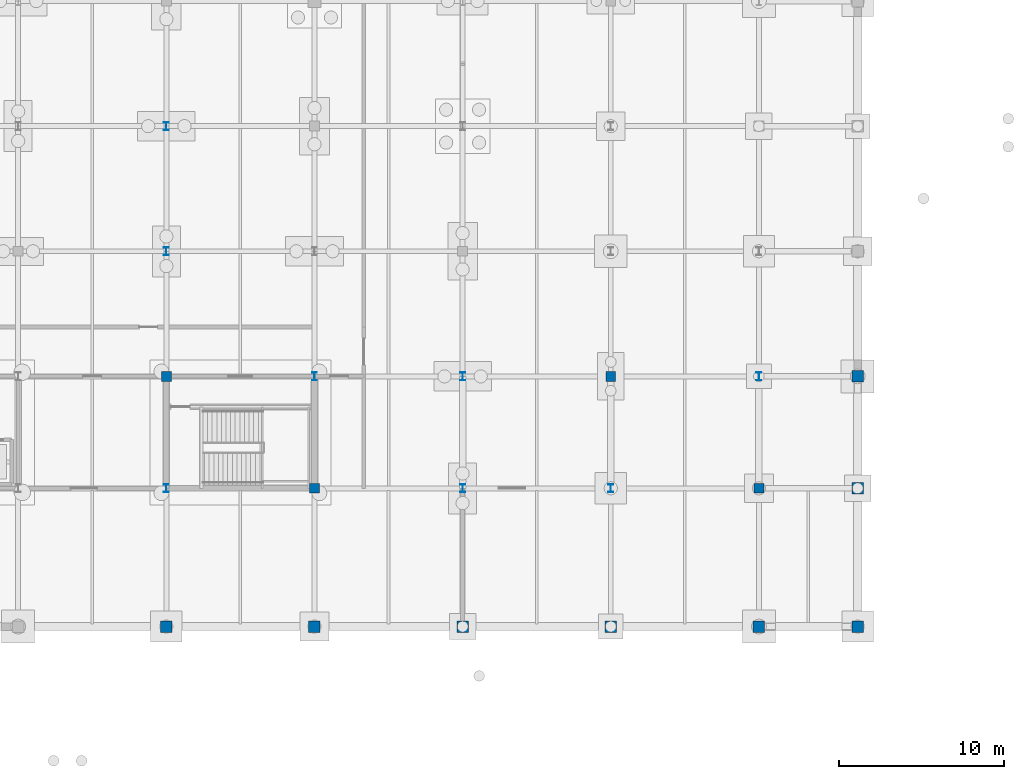
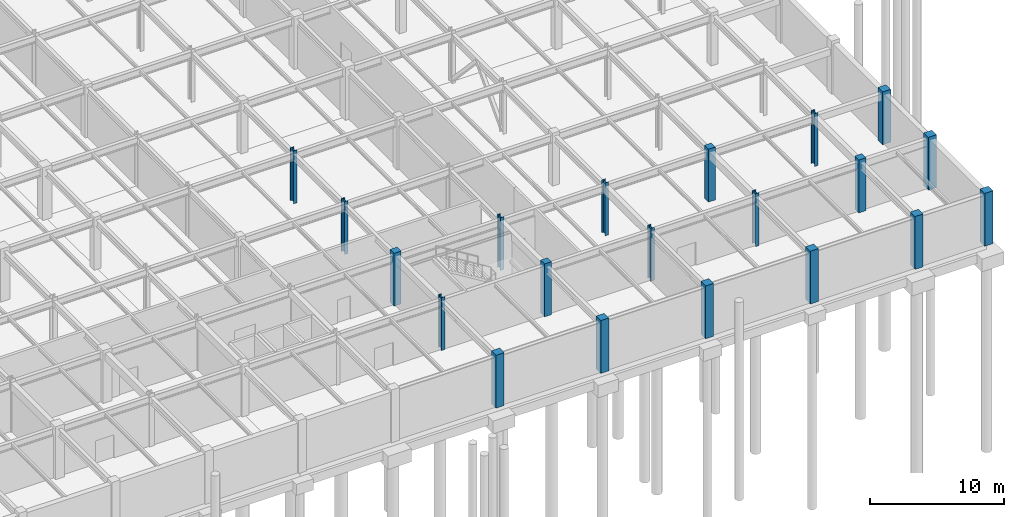
# One storey, part 25 of 53: 20 columns.
"""IFC4 building model written with IfcOpenShell, lengths in metres."""

from ifc_helpers import new_model, si_unit, direction, frame, origin, origin_2d, place, context, subcontext, project, spatial, rectangle, i_section, extrude, material, material_profile, profile_set, type_object, element, save


model = new_model("IFC4")

# Units and contexts
model_context = context("Model", 3, precision=1e-05, world=origin(), true_north=direction((0.0, 1.0)))
body_context = subcontext(model_context, "Body", "Model", "MODEL_VIEW")
ifc_project = project(units=[si_unit("LENGTHUNIT", "METRE"), si_unit("AREAUNIT", "SQUARE_METRE"), si_unit("VOLUMEUNIT", "CUBIC_METRE"), si_unit("PLANEANGLEUNIT", "RADIAN"), si_unit("MASSUNIT", "GRAM", prefix="KILO")], contexts=[model_context])

# Site, building, storey
site_placement = place(None, origin())
site = spatial("IfcSite", under=ifc_project, at=site_placement, CompositionType="ELEMENT")
building_placement = place(site_placement, origin())
building = spatial("IfcBuilding", under=site, at=building_placement, Name="Shalkamar Park Central Library", CompositionType="ELEMENT")
storey_placement = place(building_placement, frame((0.0, 0.0, -4.800048828125)))
storey = spatial("IfcBuildingStorey", under=building, at=storey_placement, Name="B1", CompositionType="ELEMENT", Elevation=-4.800048828125)

# Columns
ifc_material_1 = material(Name="Concrete C40/50", Category="concrete")
ifc_material_profile_1 = material_profile(ifc_material_1, rectangle(XDim=0.60009765625, YDim=0.60009765625, at=origin_2d()), Name="RC 600x600")
ifc_profile_set_1 = profile_set([ifc_material_profile_1], Name="Concrete C40/50")
column_type_1 = type_object("IfcColumnType", Name="Column Concrete RC600", PredefinedType="COLUMN", material=ifc_profile_set_1)
for number, where, z_axis, x_axis, name in (
    (1, (246.0, 255.199951171875, 0.0), (0.0, 0.0, 1.0), (1.0, 0.0, 0.0), "Column 17/C (B1)"),
    (2, (255.0, 248.39990234375, 0.0), (0.0, 0.0, 1.0), (1.0, 0.0, 0.0), "Column 18/B (B1)"),
    (3, (273.0, 255.199951171875, 0.0), (0.0, 0.0, 1.0), (1.0, 0.0, 0.0), "Column 20/C (B1)"),
    (4, (282.0, 248.39990234375, 0.0), (0.0, 0.0, 1.0), (1.0, 0.0, 0.0), "Column 21/B (B1)"),
):
    element("IfcColumn", number, at=place(storey_placement, frame(where, z_axis=z_axis, x_axis=x_axis)), inside=storey, type_object=column_type_1, Name=name, PredefinedType="COLUMN", context=body_context, shape_type="SweptSolid", body=[
        extrude(rectangle(XDim=0.60009765625, YDim=0.60009765625, at=origin_2d()), origin(), (0.0, 0.0, 1.0), 4.800048828125),
    ])
ifc_material_profile_2 = material_profile(ifc_material_1, rectangle(XDim=0.699951171875, YDim=0.699951171875, at=origin_2d()), Name="RC 700x700")
ifc_profile_set_2 = profile_set([ifc_material_profile_2], Name="Concrete C40/50")
column_type_2 = type_object("IfcColumnType", Name="Column Concrete RC700", PredefinedType="COLUMN", material=ifc_profile_set_2)
for number, where, z_axis, x_axis, name in (
    (5, (246.0, 240.0, 0.0), (0.0, 0.0, 1.0), (1.0, 0.0, 0.0), "Column 17/A (B1)"),
    (6, (255.0, 240.0, 0.0), (0.0, 0.0, 1.0), (1.0, 0.0, 0.0), "Column 18/A (B1)"),
    (7, (264.0, 240.0, 0.0), (0.0, 0.0, 1.0), (1.0, 0.0, 0.0), "Column 19/A (B1)"),
    (8, (273.0, 240.0, 0.0), (0.0, 0.0, 1.0), (1.0, 0.0, 0.0), "Column 20/A (B1)"),
    (9, (282.0, 240.0, 0.0), (0.0, 0.0, 1.0), (1.0, 0.0, 0.0), "Column 21/A (B1)"),
    (10, (288.0, 240.0, 0.0), (0.0, 0.0, 1.0), (1.0, 0.0, 0.0), "Column 22/A (B1)"),
    (11, (288.0, 248.39990234375, 0.0), (0.0, 0.0, 1.0), (1.0, 0.0, 0.0), "Column 22/B (B1)"),
    (12, (288.0, 255.199951171875, 0.0), (0.0, 0.0, 1.0), (1.0, 0.0, 0.0), "Column 22/C (B1)"),
):
    element("IfcColumn", number, at=place(storey_placement, frame(where, z_axis=z_axis, x_axis=x_axis)), inside=storey, type_object=column_type_2, Name=name, PredefinedType="COLUMN", context=body_context, shape_type="SweptSolid", body=[
        extrude(rectangle(XDim=0.699951171875, YDim=0.699951171875, at=origin_2d()), origin(), (0.0, 0.0, 1.0), 4.800048828125),
    ])
ifc_material_2 = material(Name="Steel S355", Category="steel")
ifc_material_profile_3 = material_profile(ifc_material_2, i_section(OverallWidth=0.300048828125, OverallDepth=0.5, WebThickness=0.014404296875, FlangeThickness=0.028076171875, FilletRadius=0.027099609375, at=origin_2d()), Name="HEB 500")
ifc_profile_set_3 = profile_set([ifc_material_profile_3], Name="Steel S355")
column_type_3 = type_object("IfcColumnType", Name="Column Steel HEB500", PredefinedType="COLUMN", material=ifc_profile_set_3)
for number, where, z_axis, x_axis, name in (
    (13, (246.0, 248.39990234375, 0.0), (0.0, 0.0, 1.0), (1.0, 0.0, 0.0), "Column 17/B (B1)"),
    (14, (246.0, 262.800048828125, 0.0), (0.0, 0.0, 1.0), (1.0, 0.0, 0.0), "Column 17/D (B1)"),
    (15, (246.0, 270.39990234375, 0.0), (0.0, 0.0, 1.0), (1.0, 0.0, 0.0), "Column 17/E (B1)"),
    (16, (255.0, 255.199951171875, 0.0), (0.0, 0.0, 1.0), (1.0, 0.0, 0.0), "Column 18/C (B1)"),
    (17, (264.0, 248.39990234375, 0.0), (0.0, 0.0, 1.0), (1.0, 0.0, 0.0), "Column 19/B (B1)"),
    (18, (264.0, 255.199951171875, 0.0), (0.0, 0.0, 1.0), (1.0, 0.0, 0.0), "Column 19/C (B1)"),
    (19, (273.0, 248.39990234375, 0.0), (0.0, 0.0, 1.0), (1.0, 0.0, 0.0), "Column 20/B (B1)"),
    (20, (282.0, 255.199951171875, 0.0), (0.0, 0.0, 1.0), (1.0, 0.0, 0.0), "Column 21/C (B1)"),
):
    element("IfcColumn", number, at=place(storey_placement, frame(where, z_axis=z_axis, x_axis=x_axis)), inside=storey, type_object=column_type_3, Name=name, PredefinedType="COLUMN", context=body_context, shape_type="SweptSolid", body=[
        extrude(i_section(OverallWidth=0.300048828125, OverallDepth=0.5, WebThickness=0.014404296875, FlangeThickness=0.028076171875, FilletRadius=0.027099609375, at=origin_2d()), origin(), (0.0, 0.0, 1.0), 4.800048828125),
    ])

save(model, "model.ifc")
